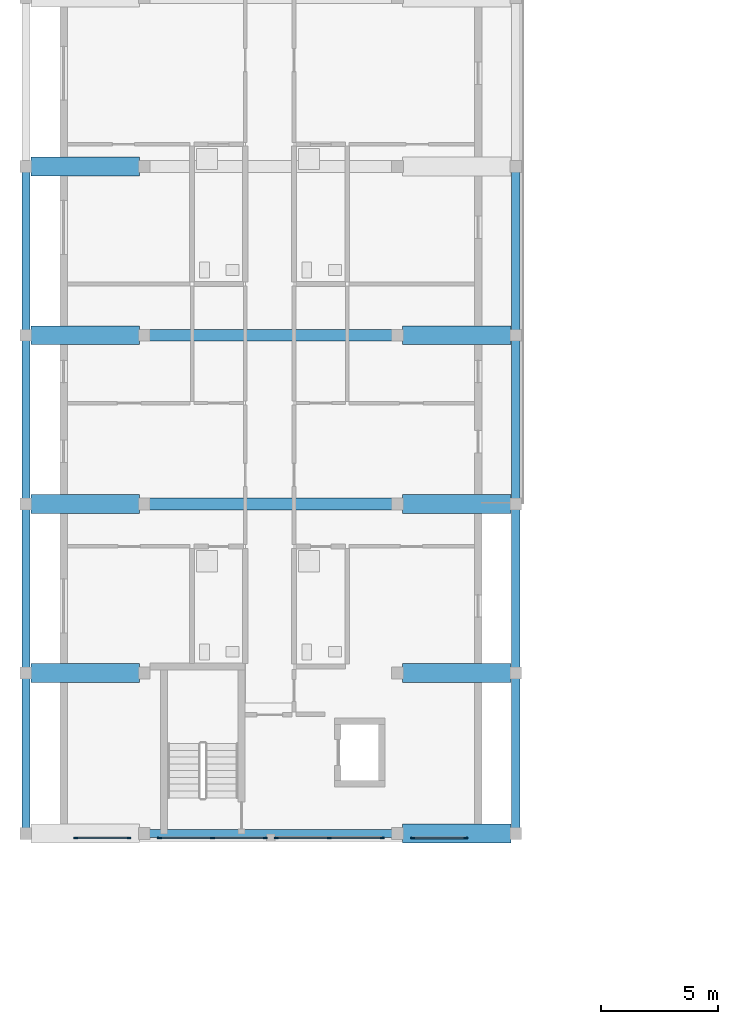
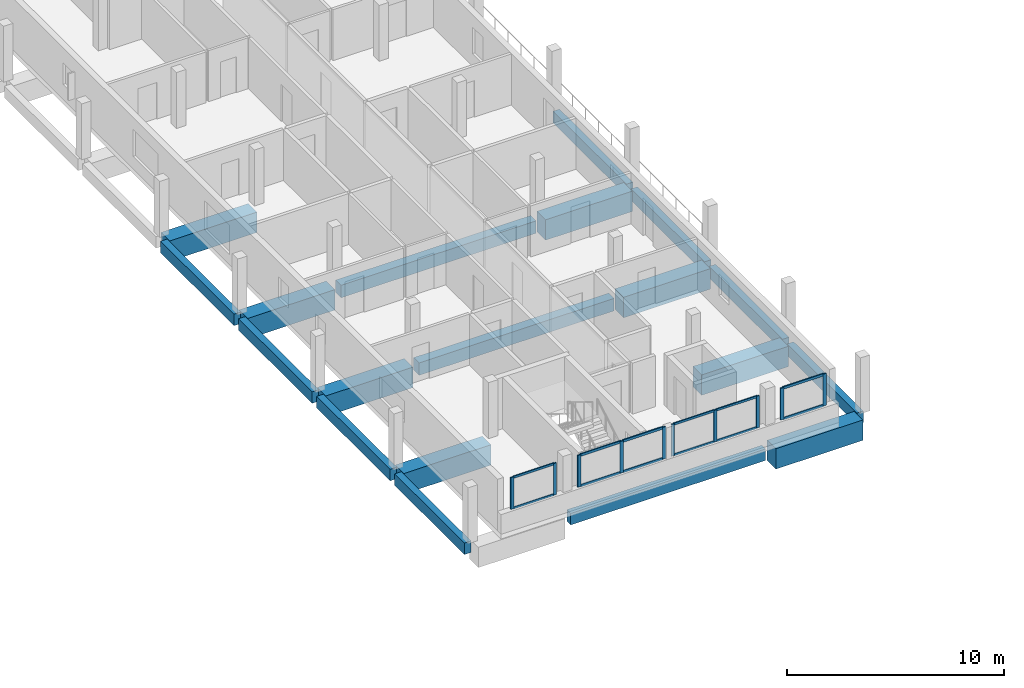
# One storey, part 2 of 29: 22 members, 19 beams, 4 elements without a shape of their own.
"""IFC4 building model written with IfcOpenShell, lengths in metres."""

from ifc_helpers import new_model, si_unit, derived_unit, direction, frame, origin, origin_2d, place, context, subcontext, project, spatial, rectangle, extrude, material, layer, layer_set, material_profile, profile_set, type_object, element, aggregate, save


model = new_model("IFC4")

# Units and contexts
model_context = context("Model", 3, precision=1e-05, world=origin(), true_north=direction((0.0, 1.0)))
body_context = subcontext(model_context, "Body", "Model", "MODEL_VIEW")
ifc_project = project(units=[si_unit("LENGTHUNIT", "METRE"), si_unit("AREAUNIT", "SQUARE_METRE"), si_unit("VOLUMEUNIT", "CUBIC_METRE"), si_unit("PLANEANGLEUNIT", "RADIAN"), si_unit("MASSUNIT", "GRAM", prefix="KILO"), derived_unit("THERMALTRANSMITTANCEUNIT", [(si_unit("MASSUNIT", "GRAM", prefix="KILO"), 1), (si_unit("TIMEUNIT", "SECOND"), -3), (si_unit("THERMODYNAMICTEMPERATUREUNIT", "KELVIN"), -1)])], contexts=[model_context])

# Site, building, storey
site_placement = place(None, origin())
site = spatial("IfcSite", under=ifc_project, at=site_placement, CompositionType="ELEMENT")
building_placement = place(site_placement, origin())
building = spatial("IfcBuilding", under=site, at=building_placement, Name="Ochrekiln Boulevard Commons", CompositionType="ELEMENT")
storey_placement = place(building_placement, frame((0.0, 0.0, 37.27490234375)))
storey = spatial("IfcBuildingStorey", under=building, at=storey_placement, Name="L11", CompositionType="ELEMENT", Elevation=37.27490234375)

# Beams
ifc_material_1 = material(Name="Concrete C40/50", Category="concrete")
ifc_material_profile_1 = material_profile(ifc_material_1, rectangle(XDim=0.5, YDim=0.699951171875, at=origin_2d()), Name="RC-BM-500x700")
ifc_profile_set_1 = profile_set([ifc_material_profile_1], Name="Concrete C40/50")
beam_type_1 = type_object("IfcBeamType", Name="BM-RC-500x700", PredefinedType="BEAM", material=ifc_profile_set_1)
for number, where, z_axis, x_axis, name in (
    (1, (5.610107421875, 82.800048828125, -0.60986328125), (1.0, 0.0, 0.0), (0.0, 1.0, 0.0), "Block A L11 Beam B-5070 X7"),
    (2, (5.610107421875, 90.0, -0.60986328125), (1.0, 0.0, 0.0), (0.0, 1.0, 0.0), "Block A L11 Beam B-5070 X10"),
):
    element("IfcBeam", number, at=place(storey_placement, frame(where, z_axis=z_axis, x_axis=x_axis)), inside=storey, type_object=beam_type_1, Name=name, PredefinedType="BEAM", context=body_context, shape_type="SweptSolid", body=[
        extrude(rectangle(XDim=0.5, YDim=0.699951171875, at=origin_2d()), origin(), (0.0, 0.0, 1.0), 10.3798828125),
    ])
ifc_material_profile_2 = material_profile(ifc_material_1, rectangle(XDim=0.800048828125, YDim=1.14990234375, at=origin_2d()), Name="RC-TRG-800x1150")
ifc_profile_set_2 = profile_set([ifc_material_profile_2], Name="Concrete C40/50")
beam_type_2 = type_object("IfcBeamType", Name="BM-TRG-800x1150", PredefinedType="BEAM", material=ifc_profile_set_2)
beam_1_placement = place(storey_placement, frame((16.409912109375, 68.75, -0.8349609375), z_axis=(1.0, 0.0, 0.0), x_axis=(0.0, 1.0, 0.0)))
element("IfcBeam", 3, at=beam_1_placement, inside=storey, type_object=beam_type_2, Name="Block A L11 Beam TG-01 X3", PredefinedType="BEAM", context=body_context, shape_type="SweptSolid", body=[
    extrude(rectangle(XDim=0.800048828125, YDim=1.14990234375, at=origin_2d()), origin(), (0.0, 0.0, 1.0), 4.630126953125),
])
beam_2_placement = place(storey_placement, frame((0.56005859375, 75.60009765625, -0.8349609375), z_axis=(1.0, 0.0, 0.0), x_axis=(0.0, 1.0, 0.0)))
element("IfcBeam", 4, at=beam_2_placement, inside=storey, type_object=beam_type_2, Name="Block A L11 Beam TG-01 X4", PredefinedType="BEAM", context=body_context, shape_type="SweptSolid", body=[
    extrude(rectangle(XDim=0.800048828125, YDim=1.14990234375, at=origin_2d()), origin(), (0.0, 0.0, 1.0), 4.6298828125),
])
beam_3_placement = place(storey_placement, frame((16.409912109375, 75.60009765625, -0.8349609375), z_axis=(1.0, 0.0, 0.0), x_axis=(0.0, 1.0, 0.0)))
element("IfcBeam", 5, at=beam_3_placement, inside=storey, type_object=beam_type_2, Name="Block A L11 Beam TG-01 X5", PredefinedType="BEAM", context=body_context, shape_type="SweptSolid", body=[
    extrude(rectangle(XDim=0.800048828125, YDim=1.14990234375, at=origin_2d()), origin(), (0.0, 0.0, 1.0), 4.630126953125),
])
beam_4_placement = place(storey_placement, frame((0.56005859375, 82.800048828125, -0.8349609375), z_axis=(1.0, 0.0, 0.0), x_axis=(0.0, 1.0, 0.0)))
element("IfcBeam", 6, at=beam_4_placement, inside=storey, type_object=beam_type_2, Name="Block A L11 Beam TG-01 X6", PredefinedType="BEAM", context=body_context, shape_type="SweptSolid", body=[
    extrude(rectangle(XDim=0.800048828125, YDim=1.14990234375, at=origin_2d()), origin(), (0.0, 0.0, 1.0), 4.6298828125),
])
beam_5_placement = place(storey_placement, frame((16.409912109375, 82.800048828125, -0.8349609375), z_axis=(1.0, 0.0, 0.0), x_axis=(0.0, 1.0, 0.0)))
element("IfcBeam", 7, at=beam_5_placement, inside=storey, type_object=beam_type_2, Name="Block A L11 Beam TG-01 X8", PredefinedType="BEAM", context=body_context, shape_type="SweptSolid", body=[
    extrude(rectangle(XDim=0.800048828125, YDim=1.14990234375, at=origin_2d()), origin(), (0.0, 0.0, 1.0), 4.630126953125),
])
beam_6_placement = place(storey_placement, frame((0.56005859375, 90.0, -0.8349609375), z_axis=(1.0, 0.0, 0.0), x_axis=(0.0, 1.0, 0.0)))
element("IfcBeam", 8, at=beam_6_placement, inside=storey, type_object=beam_type_2, Name="Block A L11 Beam TG-01 X9", PredefinedType="BEAM", context=body_context, shape_type="SweptSolid", body=[
    extrude(rectangle(XDim=0.800048828125, YDim=1.14990234375, at=origin_2d()), origin(), (0.0, 0.0, 1.0), 4.6298828125),
])
beam_7_placement = place(storey_placement, frame((16.409912109375, 90.0, -0.8349609375), z_axis=(1.0, 0.0, 0.0), x_axis=(0.0, 1.0, 0.0)))
element("IfcBeam", 9, at=beam_7_placement, inside=storey, type_object=beam_type_2, Name="Block A L11 Beam TG-01 X11", PredefinedType="BEAM", context=body_context, shape_type="SweptSolid", body=[
    extrude(rectangle(XDim=0.800048828125, YDim=1.14990234375, at=origin_2d()), origin(), (0.0, 0.0, 1.0), 4.630126953125),
])
beam_8_placement = place(storey_placement, frame((0.56005859375, 97.199951171875, -0.8349609375), z_axis=(1.0, 0.0, 0.0), x_axis=(0.0, 1.0, 0.0)))
element("IfcBeam", 10, at=beam_8_placement, inside=storey, type_object=beam_type_2, Name="Block A L11 Beam TG-01 X12", PredefinedType="BEAM", context=body_context, shape_type="SweptSolid", body=[
    extrude(rectangle(XDim=0.800048828125, YDim=1.14990234375, at=origin_2d()), origin(), (0.0, 0.0, 1.0), 4.6298828125),
])

# Curtain wall, members
ifc_material_2 = material(Name="Bronze-anodized extruded aluminium 6063-T6", Category="aluminium")
ifc_layer = layer(ifc_material_2, 0.172119140625)
ifc_layer_set = layer_set([ifc_layer], Name="Bronze-anodized extruded aluminium 6063-T6")
curtain_wall_type = type_object("IfcCurtainWallType", Name="CW-GABLE-A", PredefinedType="USERDEFINED", material=ifc_layer_set)
curtain_wall_1_placement = place(storey_placement, origin())
curtain_wall_1 = element("IfcCurtainWall", 11, at=curtain_wall_1_placement, inside=storey, type_object=curtain_wall_type, Name="Block A L11 Courtyard Glazed Gable Curtain Wall 1", ObjectType="GLAZED CURTAIN WALL", PredefinedType="USERDEFINED")
ifc_material_profile_3 = material_profile(ifc_material_2, rectangle(XDim=0.06005859375, YDim=0.159912109375, at=origin_2d()), Name="ALU-MUL-60x160")
ifc_profile_set_3 = profile_set([ifc_material_profile_3], Name="Bronze-anodized extruded aluminium 6063-T6")
member_type_1 = type_object("IfcMemberType", Name="CWM-60x160", PredefinedType="MULLION", material=ifc_profile_set_3)
member_1_placement = place(storey_placement, frame((2.47998046875, 68.56005859375, 1.110107421875), z_axis=(0.0, 0.0, 1.0), x_axis=(0.0, 1.0, 0.0)))
member_1 = element("IfcMember", 12, at=member_1_placement, type_object=member_type_1, Name="CW-01 mullion 1", PredefinedType="MULLION", context=body_context, shape_type="SweptSolid", body=[
    extrude(rectangle(XDim=0.06005859375, YDim=0.159912109375, at=origin_2d()), origin(), (0.0, 0.0, 1.0), 1.7900390625),
])
member_2_placement = place(storey_placement, frame((4.75, 68.56005859375, 1.110107421875), z_axis=(0.0, 0.0, 1.0), x_axis=(0.0, 1.0, 0.0)))
member_2 = element("IfcMember", 13, at=member_2_placement, type_object=member_type_1, Name="CW-01 mullion 2", PredefinedType="MULLION", context=body_context, shape_type="SweptSolid", body=[
    extrude(rectangle(XDim=0.06005859375, YDim=0.159912109375, at=origin_2d()), origin(), (0.0, 0.0, 1.0), 1.7900390625),
])

curtain_wall_2_placement = place(storey_placement, origin())
curtain_wall_2 = element("IfcCurtainWall", 14, at=curtain_wall_2_placement, inside=storey, type_object=curtain_wall_type, Name="Block A L11 Courtyard Glazed Gable Curtain Wall 3", ObjectType="GLAZED CURTAIN WALL", PredefinedType="USERDEFINED")
member_3_placement = place(storey_placement, frame((11.030029296875, 68.56005859375, 1.110107421875), z_axis=(0.0, 0.0, 1.0), x_axis=(0.0, 1.0, 0.0)))
member_3 = element("IfcMember", 15, at=member_3_placement, type_object=member_type_1, Name="CW-01 mullion 1", PredefinedType="MULLION", context=body_context, shape_type="SweptSolid", body=[
    extrude(rectangle(XDim=0.06005859375, YDim=0.159912109375, at=origin_2d()), origin(), (0.0, 0.0, 1.0), 1.7900390625),
])
member_4_placement = place(storey_placement, frame((13.2900390625, 68.56005859375, 1.110107421875), z_axis=(0.0, 0.0, 1.0), x_axis=(0.0, 1.0, 0.0)))
member_4 = element("IfcMember", 16, at=member_4_placement, type_object=member_type_1, Name="CW-01 mullion 2", PredefinedType="MULLION", context=body_context, shape_type="SweptSolid", body=[
    extrude(rectangle(XDim=0.06005859375, YDim=0.159912109375, at=origin_2d()), origin(), (0.0, 0.0, 1.0), 1.7900390625),
])
member_5_placement = place(storey_placement, frame((15.550048828125, 68.56005859375, 1.110107421875), z_axis=(0.0, 0.0, 1.0), x_axis=(0.0, 1.0, 0.0)))
member_5 = element("IfcMember", 17, at=member_5_placement, type_object=member_type_1, Name="CW-01 mullion 3", PredefinedType="MULLION", context=body_context, shape_type="SweptSolid", body=[
    extrude(rectangle(XDim=0.06005859375, YDim=0.159912109375, at=origin_2d()), origin(), (0.0, 0.0, 1.0), 1.7900390625),
])

curtain_wall_3_placement = place(storey_placement, origin())
curtain_wall_3 = element("IfcCurtainWall", 18, at=curtain_wall_3_placement, inside=storey, type_object=curtain_wall_type, Name="Block A L11 Courtyard Glazed Gable Curtain Wall 2", ObjectType="GLAZED CURTAIN WALL", PredefinedType="USERDEFINED")
ifc_material_profile_4 = material_profile(ifc_material_2, rectangle(XDim=0.06494140625, YDim=0.179931640625, at=origin_2d()), Name="ALU-MUL-65x180")
ifc_profile_set_4 = profile_set([ifc_material_profile_4], Name="Bronze-anodized extruded aluminium 6063-T6")
member_type_2 = type_object("IfcMemberType", Name="CWM-65x180", PredefinedType="MULLION", material=ifc_profile_set_4)
member_6_placement = place(storey_placement, frame((6.052490234375, 68.56005859375, 1.110107421875), z_axis=(0.0, 0.0, 1.0), x_axis=(0.0, 1.0, 0.0)))
member_6 = element("IfcMember", 19, at=member_6_placement, type_object=member_type_2, Name="CW-01 mullion 1", PredefinedType="MULLION", context=body_context, shape_type="SweptSolid", body=[
    extrude(rectangle(XDim=0.06494140625, YDim=0.179931640625, at=origin_2d()), origin(), (0.0, 0.0, 1.0), 1.7900390625),
])
member_7_placement = place(storey_placement, frame((8.31005859375, 68.56005859375, 1.110107421875), z_axis=(0.0, 0.0, 1.0), x_axis=(0.0, 1.0, 0.0)))
member_7 = element("IfcMember", 20, at=member_7_placement, type_object=member_type_2, Name="CW-01 mullion 2", PredefinedType="MULLION", context=body_context, shape_type="SweptSolid", body=[
    extrude(rectangle(XDim=0.06494140625, YDim=0.179931640625, at=origin_2d()), origin(), (0.0, 0.0, 1.0), 1.7900390625),
])
member_8_placement = place(storey_placement, frame((10.5673828125, 68.56005859375, 1.110107421875), z_axis=(0.0, 0.0, 1.0), x_axis=(0.0, 1.0, 0.0)))
member_8 = element("IfcMember", 21, at=member_8_placement, type_object=member_type_2, Name="CW-01 mullion 3", PredefinedType="MULLION", context=body_context, shape_type="SweptSolid", body=[
    extrude(rectangle(XDim=0.06494140625, YDim=0.179931640625, at=origin_2d()), origin(), (0.0, 0.0, 1.0), 1.7900390625),
])

curtain_wall_4_placement = place(storey_placement, origin())
curtain_wall_4 = element("IfcCurtainWall", 22, at=curtain_wall_4_placement, inside=storey, type_object=curtain_wall_type, Name="Block A L11 Courtyard Glazed Gable Curtain Wall 4", ObjectType="GLAZED CURTAIN WALL", PredefinedType="USERDEFINED")
member_9_placement = place(storey_placement, frame((16.8525390625, 68.56005859375, 1.110107421875), z_axis=(0.0, 0.0, 1.0), x_axis=(0.0, 1.0, 0.0)))
member_9 = element("IfcMember", 23, at=member_9_placement, type_object=member_type_2, Name="CW-01 mullion 1", PredefinedType="MULLION", context=body_context, shape_type="SweptSolid", body=[
    extrude(rectangle(XDim=0.06494140625, YDim=0.179931640625, at=origin_2d()), origin(), (0.0, 0.0, 1.0), 1.7900390625),
])
member_10_placement = place(storey_placement, frame((19.117431640625, 68.56005859375, 1.110107421875), z_axis=(0.0, 0.0, 1.0), x_axis=(0.0, 1.0, 0.0)))
member_10 = element("IfcMember", 24, at=member_10_placement, type_object=member_type_2, Name="CW-01 mullion 2", PredefinedType="MULLION", context=body_context, shape_type="SweptSolid", body=[
    extrude(rectangle(XDim=0.06494140625, YDim=0.179931640625, at=origin_2d()), origin(), (0.0, 0.0, 1.0), 1.7900390625),
])

# Member
ifc_material_profile_5 = material_profile(ifc_material_2, rectangle(XDim=0.06005859375, YDim=0.1201171875, at=origin_2d()), Name="ALU-TRN-60x120")
ifc_profile_set_5 = profile_set([ifc_material_profile_5], Name="Bronze-anodized extruded aluminium 6063-T6")
member_type_3 = type_object("IfcMemberType", Name="CWT-60x120", PredefinedType="USERDEFINED", material=ifc_profile_set_5)
member_11_placement = place(storey_placement, frame((2.510009765625, 68.56005859375, 1.14013671875), z_axis=(1.0, 0.0, 0.0), x_axis=(0.0, 1.0, 0.0)))
member_11 = element("IfcMember", 25, at=member_11_placement, type_object=member_type_3, Name="CW-01 transom 1.1", ObjectType="TRANSOM", PredefinedType="USERDEFINED", context=body_context, shape_type="SweptSolid", body=[
    extrude(rectangle(XDim=0.06005859375, YDim=0.1201171875, at=origin_2d()), origin(), (0.0, 0.0, 1.0), 2.2099609375),
])

member_12_placement = place(storey_placement, frame((2.510009765625, 68.56005859375, 2.8701171875), z_axis=(1.0, 0.0, 0.0), x_axis=(0.0, 1.0, 0.0)))
member_12 = element("IfcMember", 26, at=member_12_placement, type_object=member_type_3, Name="CW-01 transom 1.2", ObjectType="TRANSOM", PredefinedType="USERDEFINED", context=body_context, shape_type="SweptSolid", body=[
    extrude(rectangle(XDim=0.06005859375, YDim=0.1201171875, at=origin_2d()), origin(), (0.0, 0.0, 1.0), 2.2099609375),
])

aggregate(curtain_wall_1, [member_1, member_2, member_11, member_12])

member_13_placement = place(storey_placement, frame((11.06005859375, 68.56005859375, 1.14013671875), z_axis=(1.0, 0.0, 0.0), x_axis=(0.0, 1.0, 0.0)))
member_13 = element("IfcMember", 27, at=member_13_placement, type_object=member_type_3, Name="CW-01 transom 1.1", ObjectType="TRANSOM", PredefinedType="USERDEFINED", context=body_context, shape_type="SweptSolid", body=[
    extrude(rectangle(XDim=0.06005859375, YDim=0.1201171875, at=origin_2d()), origin(), (0.0, 0.0, 1.0), 2.199951171875),
])

member_14_placement = place(storey_placement, frame((11.06005859375, 68.56005859375, 2.8701171875), z_axis=(1.0, 0.0, 0.0), x_axis=(0.0, 1.0, 0.0)))
member_14 = element("IfcMember", 28, at=member_14_placement, type_object=member_type_3, Name="CW-01 transom 1.2", ObjectType="TRANSOM", PredefinedType="USERDEFINED", context=body_context, shape_type="SweptSolid", body=[
    extrude(rectangle(XDim=0.06005859375, YDim=0.1201171875, at=origin_2d()), origin(), (0.0, 0.0, 1.0), 2.199951171875),
])

member_15_placement = place(storey_placement, frame((13.320068359375, 68.56005859375, 1.14013671875), z_axis=(1.0, 0.0, 0.0), x_axis=(0.0, 1.0, 0.0)))
member_15 = element("IfcMember", 29, at=member_15_placement, type_object=member_type_3, Name="CW-01 transom 2.1", ObjectType="TRANSOM", PredefinedType="USERDEFINED", context=body_context, shape_type="SweptSolid", body=[
    extrude(rectangle(XDim=0.06005859375, YDim=0.1201171875, at=origin_2d()), origin(), (0.0, 0.0, 1.0), 2.199951171875),
])

member_16_placement = place(storey_placement, frame((13.320068359375, 68.56005859375, 2.8701171875), z_axis=(1.0, 0.0, 0.0), x_axis=(0.0, 1.0, 0.0)))
member_16 = element("IfcMember", 30, at=member_16_placement, type_object=member_type_3, Name="CW-01 transom 2.2", ObjectType="TRANSOM", PredefinedType="USERDEFINED", context=body_context, shape_type="SweptSolid", body=[
    extrude(rectangle(XDim=0.06005859375, YDim=0.1201171875, at=origin_2d()), origin(), (0.0, 0.0, 1.0), 2.199951171875),
])

aggregate(curtain_wall_2, [member_3, member_4, member_5, member_13, member_14, member_15, member_16])

ifc_material_profile_6 = material_profile(ifc_material_2, rectangle(XDim=0.06494140625, YDim=0.139892578125, at=origin_2d()), Name="ALU-TRN-65x140")
ifc_profile_set_6 = profile_set([ifc_material_profile_6], Name="Bronze-anodized extruded aluminium 6063-T6")
member_type_4 = type_object("IfcMemberType", Name="CWT-65x140", PredefinedType="USERDEFINED", material=ifc_profile_set_6)
member_17_placement = place(storey_placement, frame((6.0849609375, 68.56005859375, 1.142578125), z_axis=(1.0, 0.0, 0.0), x_axis=(0.0, 1.0, 0.0)))
member_17 = element("IfcMember", 31, at=member_17_placement, type_object=member_type_4, Name="CW-01 transom 1.1", ObjectType="TRANSOM", PredefinedType="USERDEFINED", context=body_context, shape_type="SweptSolid", body=[
    extrude(rectangle(XDim=0.06494140625, YDim=0.139892578125, at=origin_2d()), origin(), (0.0, 0.0, 1.0), 2.192626953125),
])

member_18_placement = place(storey_placement, frame((6.0849609375, 68.56005859375, 2.86767578125), z_axis=(1.0, 0.0, 0.0), x_axis=(0.0, 1.0, 0.0)))
member_18 = element("IfcMember", 32, at=member_18_placement, type_object=member_type_4, Name="CW-01 transom 1.2", ObjectType="TRANSOM", PredefinedType="USERDEFINED", context=body_context, shape_type="SweptSolid", body=[
    extrude(rectangle(XDim=0.06494140625, YDim=0.139892578125, at=origin_2d()), origin(), (0.0, 0.0, 1.0), 2.192626953125),
])

member_19_placement = place(storey_placement, frame((8.342529296875, 68.56005859375, 1.142578125), z_axis=(1.0, 0.0, 0.0), x_axis=(0.0, 1.0, 0.0)))
member_19 = element("IfcMember", 33, at=member_19_placement, type_object=member_type_4, Name="CW-01 transom 2.1", ObjectType="TRANSOM", PredefinedType="USERDEFINED", context=body_context, shape_type="SweptSolid", body=[
    extrude(rectangle(XDim=0.06494140625, YDim=0.139892578125, at=origin_2d()), origin(), (0.0, 0.0, 1.0), 2.1923828125),
])

member_20_placement = place(storey_placement, frame((8.342529296875, 68.56005859375, 2.86767578125), z_axis=(1.0, 0.0, 0.0), x_axis=(0.0, 1.0, 0.0)))
member_20 = element("IfcMember", 34, at=member_20_placement, type_object=member_type_4, Name="CW-01 transom 2.2", ObjectType="TRANSOM", PredefinedType="USERDEFINED", context=body_context, shape_type="SweptSolid", body=[
    extrude(rectangle(XDim=0.06494140625, YDim=0.139892578125, at=origin_2d()), origin(), (0.0, 0.0, 1.0), 2.1923828125),
])

aggregate(curtain_wall_3, [member_6, member_7, member_8, member_17, member_18, member_19, member_20])

member_21_placement = place(storey_placement, frame((16.885009765625, 68.56005859375, 1.142578125), z_axis=(1.0, 0.0, 0.0), x_axis=(0.0, 1.0, 0.0)))
member_21 = element("IfcMember", 35, at=member_21_placement, type_object=member_type_4, Name="CW-01 transom 1.1", ObjectType="TRANSOM", PredefinedType="USERDEFINED", context=body_context, shape_type="SweptSolid", body=[
    extrude(rectangle(XDim=0.06494140625, YDim=0.139892578125, at=origin_2d()), origin(), (0.0, 0.0, 1.0), 2.199951171875),
])

member_22_placement = place(storey_placement, frame((16.885009765625, 68.56005859375, 2.86767578125), z_axis=(1.0, 0.0, 0.0), x_axis=(0.0, 1.0, 0.0)))
member_22 = element("IfcMember", 36, at=member_22_placement, type_object=member_type_4, Name="CW-01 transom 1.2", ObjectType="TRANSOM", PredefinedType="USERDEFINED", context=body_context, shape_type="SweptSolid", body=[
    extrude(rectangle(XDim=0.06494140625, YDim=0.139892578125, at=origin_2d()), origin(), (0.0, 0.0, 1.0), 2.199951171875),
])

aggregate(curtain_wall_4, [member_9, member_10, member_21, member_22])

# Beams
ifc_material_profile_7 = material_profile(ifc_material_1, rectangle(XDim=0.35009765625, YDim=0.64990234375, at=origin_2d()), Name="RC-SPN-350x650")
ifc_profile_set_7 = profile_set([ifc_material_profile_7], Name="Concrete C40/50")
beam_type_3 = type_object("IfcBeamType", Name="SPN-RC-350x650", PredefinedType="SPANDREL", material=ifc_profile_set_7)
beam_9_placement = place(storey_placement, frame((5.610107421875, 68.75, -0.5849609375), z_axis=(1.0, 0.0, 0.0), x_axis=(0.0, 1.0, 0.0)))
element("IfcBeam", 37, at=beam_9_placement, inside=storey, type_object=beam_type_3, Name="Block A L11 Beam SP-3565 X2", PredefinedType="SPANDREL", context=body_context, shape_type="SweptSolid", body=[
    extrude(rectangle(XDim=0.35009765625, YDim=0.64990234375, at=origin_2d()), origin(), (0.0, 0.0, 1.0), 10.3798828125),
])
beam_10_placement = place(storey_placement, frame((0.35009765625, 68.9599609375, -0.5849609375), z_axis=(0.0, 1.0, 0.0), x_axis=(-1.0, 0.0, 0.0)))
element("IfcBeam", 38, at=beam_10_placement, inside=storey, type_object=beam_type_3, Name="Block A L11 Beam SP-3565 Y23", PredefinedType="SPANDREL", context=body_context, shape_type="SweptSolid", body=[
    extrude(rectangle(XDim=0.35009765625, YDim=0.64990234375, at=origin_2d()), origin(), (0.0, 0.0, 1.0), 6.429931640625),
])
for number, where, z_axis, x_axis, name in (
    (39, (0.35009765625, 75.81005859375, -0.5849609375), (0.0, 1.0, 0.0), (-1.0, 0.0, 0.0), "Block A L11 Beam SP-3565 Y24"),
    (40, (0.35009765625, 83.010009765625, -0.5849609375), (0.0, 1.0, 0.0), (-1.0, 0.0, 0.0), "Block A L11 Beam SP-3565 Y25"),
    (41, (0.35009765625, 90.2099609375, -0.5849609375), (0.0, 1.0, 0.0), (-1.0, 0.0, 0.0), "Block A L11 Beam SP-3565 Y26"),
):
    element("IfcBeam", number, at=place(storey_placement, frame(where, z_axis=z_axis, x_axis=x_axis)), inside=storey, type_object=beam_type_3, Name=name, PredefinedType="SPANDREL", context=body_context, shape_type="SweptSolid", body=[
        extrude(rectangle(XDim=0.35009765625, YDim=0.64990234375, at=origin_2d()), origin(), (0.0, 0.0, 1.0), 6.780029296875),
    ])
beam_11_placement = place(storey_placement, frame((21.25, 68.9599609375, -0.5849609375), z_axis=(0.0, 1.0, 0.0), x_axis=(-1.0, 0.0, 0.0)))
element("IfcBeam", 42, at=beam_11_placement, inside=storey, type_object=beam_type_3, Name="Block A L11 Beam SP-3565 Y30", PredefinedType="SPANDREL", context=body_context, shape_type="SweptSolid", body=[
    extrude(rectangle(XDim=0.35009765625, YDim=0.64990234375, at=origin_2d()), origin(), (0.0, 0.0, 1.0), 6.429931640625),
])
for number, where, z_axis, x_axis, name in (
    (43, (21.25, 75.81005859375, -0.5849609375), (0.0, 1.0, 0.0), (-1.0, 0.0, 0.0), "Block A L11 Beam SP-3565 Y31"),
    (44, (21.25, 83.010009765625, -0.5849609375), (0.0, 1.0, 0.0), (-1.0, 0.0, 0.0), "Block A L11 Beam SP-3565 Y32"),
    (45, (21.25, 90.2099609375, -0.5849609375), (0.0, 1.0, 0.0), (-1.0, 0.0, 0.0), "Block A L11 Beam SP-3565 Y33"),
):
    element("IfcBeam", number, at=place(storey_placement, frame(where, z_axis=z_axis, x_axis=x_axis)), inside=storey, type_object=beam_type_3, Name=name, PredefinedType="SPANDREL", context=body_context, shape_type="SweptSolid", body=[
        extrude(rectangle(XDim=0.35009765625, YDim=0.64990234375, at=origin_2d()), origin(), (0.0, 0.0, 1.0), 6.780029296875),
    ])

save(model, "model.ifc")
